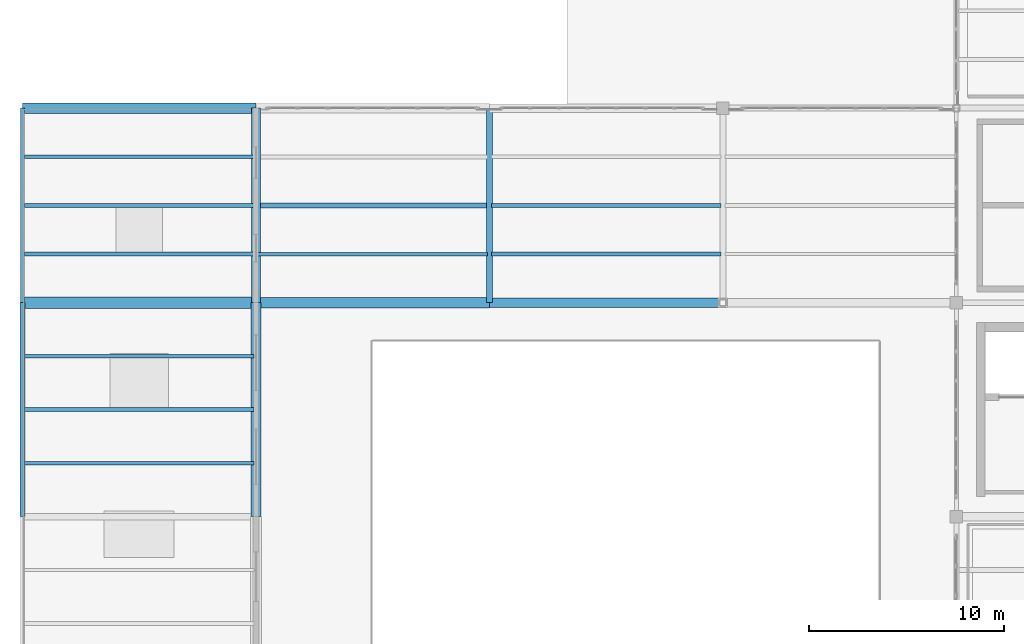
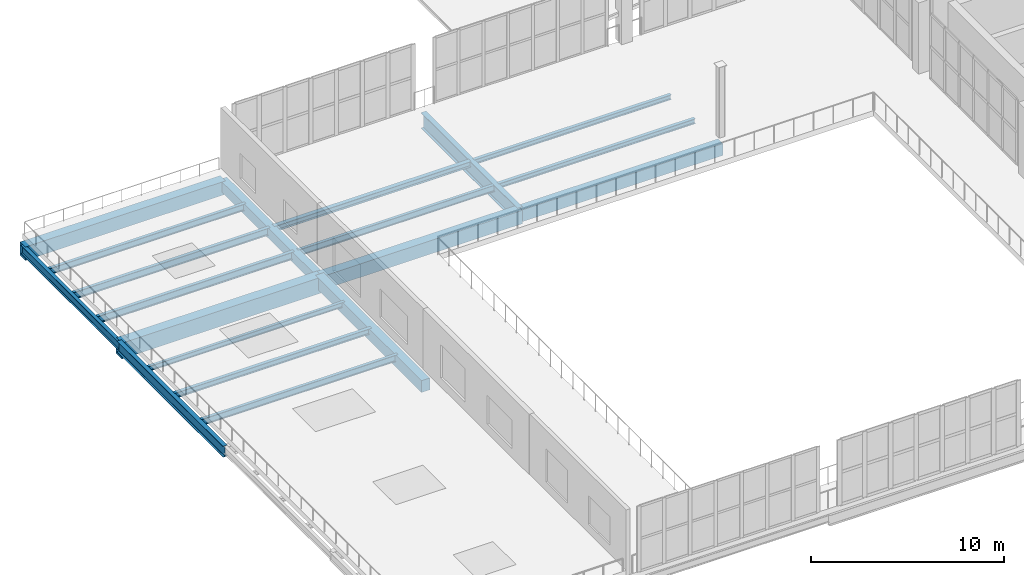
# One storey, part 9 of 90: 19 beams.
"""IFC4 building model written with IfcOpenShell, lengths in metres."""

from ifc_helpers import new_model, si_unit, direction, frame, origin, origin_2d, place, context, subcontext, project, spatial, rectangle, i_section, extrude, material, material_profile, profile_set, type_object, element, save


model = new_model("IFC4")

# Units and contexts
model_context = context("Model", 3, precision=1e-05, world=origin(), true_north=direction((0.0, 1.0)))
body_context = subcontext(model_context, "Body", "Model", "MODEL_VIEW")
ifc_project = project(units=[si_unit("LENGTHUNIT", "METRE"), si_unit("AREAUNIT", "SQUARE_METRE"), si_unit("VOLUMEUNIT", "CUBIC_METRE"), si_unit("PLANEANGLEUNIT", "RADIAN"), si_unit("MASSUNIT", "GRAM", prefix="KILO")], contexts=[model_context])

# Site, building, storey
site_placement = place(None, origin())
site = spatial("IfcSite", under=ifc_project, at=site_placement, CompositionType="ELEMENT")
building_placement = place(site_placement, origin())
building = spatial("IfcBuilding", under=site, at=building_placement, Name="Brinegate Civic Arena", CompositionType="ELEMENT")
storey_placement = place(building_placement, frame((0.0, 0.0, 14.699951171875)))
storey = spatial("IfcBuildingStorey", under=building, at=storey_placement, Name="L03", CompositionType="ELEMENT", Elevation=14.699951171875)

# Beams
ifc_material_1 = material(Name="Steel S355", Category="steel")
ifc_material_profile_1 = material_profile(ifc_material_1, i_section(OverallWidth=0.300048828125, OverallDepth=1.0, WebThickness=0.01904296875, FlangeThickness=0.031982421875, FilletRadius=0.02392578125, at=origin_2d()), Name="W1000X321")
ifc_profile_set_1 = profile_set([ifc_material_profile_1], Name="Steel S355")
beam_type_1 = type_object("IfcBeamType", Name="GIRDER-W1000X321", PredefinedType="BEAM", material=ifc_profile_set_1)
beam_1_placement = place(storey_placement, frame((24.0, 42.0, -0.849853515625), z_axis=(0.0, 1.0, 0.0), x_axis=(-1.0, 0.0, 0.0)))
element("IfcBeam", 1, at=beam_1_placement, inside=storey, type_object=beam_type_1, Name="Floor Girder BM-L03-GY-02-04", PredefinedType="BEAM", context=body_context, shape_type="SweptSolid", body=[
    extrude(i_section(OverallWidth=0.300048828125, OverallDepth=1.0, WebThickness=0.01904296875, FlangeThickness=0.031982421875, FilletRadius=0.02392578125, at=origin_2d()), origin(), (0.0, 0.0, 1.0), 10.0),
])
ifc_material_profile_2 = material_profile(ifc_material_1, i_section(OverallWidth=0.1669921875, OverallDepth=0.31689453125, WebThickness=0.008056640625, FlangeThickness=0.012939453125, FilletRadius=0.012939453125, at=origin_2d()), Name="W310X52")
ifc_profile_set_2 = profile_set([ifc_material_profile_2], Name="Steel S355")
beam_type_2 = type_object("IfcBeamType", Name="JOIST-W310X52", PredefinedType="JOIST", material=ifc_profile_set_2)
beam_2_placement = place(storey_placement, frame((0.10595703125, 39.25, -0.508056640625), z_axis=(1.0, 0.0, 0.0), x_axis=(0.0, 1.0, 0.0)))
element("IfcBeam", 2, at=beam_2_placement, inside=storey, type_object=beam_type_2, Name="Secondary Joist BM-L03-JX-00-03-3", PredefinedType="JOIST", context=body_context, shape_type="SweptSolid", body=[
    extrude(i_section(OverallWidth=0.1669921875, OverallDepth=0.31689453125, WebThickness=0.008056640625, FlangeThickness=0.012939453125, FilletRadius=0.012939453125, at=origin_2d()), origin(), (0.0, 0.0, 1.0), 11.7880859375),
])
ifc_material_profile_3 = material_profile(ifc_material_1, i_section(OverallWidth=0.202880859375, OverallDepth=0.302978515625, WebThickness=0.008056640625, FlangeThickness=0.012939453125, FilletRadius=0.012939453125, at=origin_2d()), Name="W310X60")
ifc_profile_set_3 = profile_set([ifc_material_profile_3], Name="Steel S355")
beam_type_3 = type_object("IfcBeamType", Name="JOIST-W310X60", PredefinedType="JOIST", material=ifc_profile_set_3)
beam_3_placement = place(storey_placement, frame((24.10595703125, 47.0, -0.5009765625), z_axis=(1.0, 0.0, 0.0), x_axis=(0.0, 1.0, 0.0)))
element("IfcBeam", 3, at=beam_3_placement, inside=storey, type_object=beam_type_3, Name="Secondary Joist BM-L03-JX-02-04-2", PredefinedType="JOIST", context=body_context, shape_type="SweptSolid", body=[
    extrude(i_section(OverallWidth=0.202880859375, OverallDepth=0.302978515625, WebThickness=0.008056640625, FlangeThickness=0.012939453125, FilletRadius=0.012939453125, at=origin_2d()), origin(), (0.0, 0.0, 1.0), 11.7880859375),
])
ifc_material_profile_4 = material_profile(ifc_material_1, i_section(OverallWidth=0.205078125, OverallDepth=0.31005859375, WebThickness=0.009033203125, FlangeThickness=0.01611328125, FilletRadius=0.012939453125, at=origin_2d()), Name="W310X74")
ifc_profile_set_4 = profile_set([ifc_material_profile_4], Name="Steel S355")
beam_type_4 = type_object("IfcBeamType", Name="JOIST-W310X74", PredefinedType="JOIST", material=ifc_profile_set_4)
beam_4_placement = place(storey_placement, frame((24.10595703125, 44.5, -0.5048828125), z_axis=(1.0, 0.0, 0.0), x_axis=(0.0, 1.0, 0.0)))
element("IfcBeam", 4, at=beam_4_placement, inside=storey, type_object=beam_type_4, Name="Secondary Joist BM-L03-JX-02-04-1", PredefinedType="JOIST", context=body_context, shape_type="SweptSolid", body=[
    extrude(i_section(OverallWidth=0.205078125, OverallDepth=0.31005859375, WebThickness=0.009033203125, FlangeThickness=0.01611328125, FilletRadius=0.012939453125, at=origin_2d()), origin(), (0.0, 0.0, 1.0), 11.7880859375),
])
ifc_material_profile_5 = material_profile(ifc_material_1, i_section(OverallWidth=0.202880859375, OverallDepth=0.346923828125, WebThickness=0.008056640625, FlangeThickness=0.013916015625, FilletRadius=0.013916015625, at=origin_2d()), Name="W360X64")
ifc_profile_set_5 = profile_set([ifc_material_profile_5], Name="Steel S355")
beam_type_5 = type_object("IfcBeamType", Name="JOIST-W360X64", PredefinedType="JOIST", material=ifc_profile_set_5)
beam_5_placement = place(storey_placement, frame((0.10595703125, 36.5, -0.52294921875), z_axis=(1.0, 0.0, 0.0), x_axis=(0.0, 1.0, 0.0)))
element("IfcBeam", 5, at=beam_5_placement, inside=storey, type_object=beam_type_5, Name="Secondary Joist BM-L03-JX-00-03-2", PredefinedType="JOIST", context=body_context, shape_type="SweptSolid", body=[
    extrude(i_section(OverallWidth=0.202880859375, OverallDepth=0.346923828125, WebThickness=0.008056640625, FlangeThickness=0.013916015625, FilletRadius=0.013916015625, at=origin_2d()), origin(), (0.0, 0.0, 1.0), 11.7880859375),
])
ifc_material_profile_6 = material_profile(ifc_material_1, i_section(OverallWidth=0.25390625, OverallDepth=0.35302734375, WebThickness=0.010009765625, FlangeThickness=0.01611328125, FilletRadius=0.013916015625, at=origin_2d()), Name="W360X91")
ifc_profile_set_6 = profile_set([ifc_material_profile_6], Name="Steel S355")
beam_type_6 = type_object("IfcBeamType", Name="JOIST-W360X91", PredefinedType="JOIST", material=ifc_profile_set_6)
beam_6_placement = place(storey_placement, frame((12.10595703125, 47.0, -0.52587890625), z_axis=(1.0, 0.0, 0.0), x_axis=(0.0, 1.0, 0.0)))
element("IfcBeam", 6, at=beam_6_placement, inside=storey, type_object=beam_type_6, Name="Secondary Joist BM-L03-JX-01-04-2", PredefinedType="JOIST", context=body_context, shape_type="SweptSolid", body=[
    extrude(i_section(OverallWidth=0.25390625, OverallDepth=0.35302734375, WebThickness=0.010009765625, FlangeThickness=0.01611328125, FilletRadius=0.013916015625, at=origin_2d()), origin(), (0.0, 0.0, 1.0), 11.7880859375),
])
ifc_material_profile_7 = material_profile(ifc_material_1, i_section(OverallWidth=0.178955078125, OverallDepth=0.409912109375, WebThickness=0.009033203125, FlangeThickness=0.013916015625, FilletRadius=0.013916015625, at=origin_2d()), Name="W410X67")
ifc_profile_set_7 = profile_set([ifc_material_profile_7], Name="Steel S355")
beam_type_7 = type_object("IfcBeamType", Name="JOIST-W410X67", PredefinedType="JOIST", material=ifc_profile_set_7)
beam_7_placement = place(storey_placement, frame((12.10595703125, 44.5, -0.554931640625), z_axis=(1.0, 0.0, 0.0), x_axis=(0.0, 1.0, 0.0)))
element("IfcBeam", 7, at=beam_7_placement, inside=storey, type_object=beam_type_7, Name="Secondary Joist BM-L03-JX-01-04-1", PredefinedType="JOIST", context=body_context, shape_type="SweptSolid", body=[
    extrude(i_section(OverallWidth=0.178955078125, OverallDepth=0.409912109375, WebThickness=0.009033203125, FlangeThickness=0.013916015625, FilletRadius=0.013916015625, at=origin_2d()), origin(), (0.0, 0.0, 1.0), 11.7880859375),
])
ifc_material_profile_8 = material_profile(ifc_material_1, i_section(OverallWidth=0.179931640625, OverallDepth=0.4130859375, WebThickness=0.010009765625, FlangeThickness=0.01611328125, FilletRadius=0.013916015625, at=origin_2d()), Name="W410X75")
ifc_profile_set_8 = profile_set([ifc_material_profile_8], Name="Steel S355")
beam_type_8 = type_object("IfcBeamType", Name="JOIST-W410X75", PredefinedType="JOIST", material=ifc_profile_set_8)
beam_8_placement = place(storey_placement, frame((0.10595703125, 33.75, -0.555908203125), z_axis=(1.0, 0.0, 0.0), x_axis=(0.0, 1.0, 0.0)))
element("IfcBeam", 8, at=beam_8_placement, inside=storey, type_object=beam_type_8, Name="Secondary Joist BM-L03-JX-00-03-1", PredefinedType="JOIST", context=body_context, shape_type="SweptSolid", body=[
    extrude(i_section(OverallWidth=0.179931640625, OverallDepth=0.4130859375, WebThickness=0.010009765625, FlangeThickness=0.01611328125, FilletRadius=0.013916015625, at=origin_2d()), origin(), (0.0, 0.0, 1.0), 11.7880859375),
])
ifc_material_profile_9 = material_profile(ifc_material_1, i_section(OverallWidth=0.180908203125, OverallDepth=0.4169921875, WebThickness=0.010986328125, FlangeThickness=0.01806640625, FilletRadius=0.013916015625, at=origin_2d()), Name="W410X85")
ifc_profile_set_9 = profile_set([ifc_material_profile_9], Name="Steel S355")
beam_type_9 = type_object("IfcBeamType", Name="JOIST-W410X85", PredefinedType="JOIST", material=ifc_profile_set_9)
beam_9_placement = place(storey_placement, frame((0.10595703125, 49.5, -0.557861328125), z_axis=(1.0, 0.0, 0.0), x_axis=(0.0, 1.0, 0.0)))
element("IfcBeam", 9, at=beam_9_placement, inside=storey, type_object=beam_type_9, Name="Secondary Joist BM-L03-JX-00-04-3", PredefinedType="JOIST", context=body_context, shape_type="SweptSolid", body=[
    extrude(i_section(OverallWidth=0.180908203125, OverallDepth=0.4169921875, WebThickness=0.010986328125, FlangeThickness=0.01806640625, FilletRadius=0.013916015625, at=origin_2d()), origin(), (0.0, 0.0, 1.0), 11.7880859375),
])
ifc_material_profile_10 = material_profile(ifc_material_1, i_section(OverallWidth=0.195068359375, OverallDepth=0.472900390625, WebThickness=0.011962890625, FlangeThickness=0.02197265625, FilletRadius=0.014892578125, at=origin_2d()), Name="W460X113")
ifc_profile_set_10 = profile_set([ifc_material_profile_10], Name="Steel S355")
beam_type_10 = type_object("IfcBeamType", Name="JOIST-W460X113", PredefinedType="JOIST", material=ifc_profile_set_10)
beam_10_placement = place(storey_placement, frame((0.10595703125, 44.5, -0.5859375), z_axis=(1.0, 0.0, 0.0), x_axis=(0.0, 1.0, 0.0)))
element("IfcBeam", 10, at=beam_10_placement, inside=storey, type_object=beam_type_10, Name="Secondary Joist BM-L03-JX-00-04-1", PredefinedType="JOIST", context=body_context, shape_type="SweptSolid", body=[
    extrude(i_section(OverallWidth=0.195068359375, OverallDepth=0.472900390625, WebThickness=0.011962890625, FlangeThickness=0.02197265625, FilletRadius=0.014892578125, at=origin_2d()), origin(), (0.0, 0.0, 1.0), 11.7880859375),
])
ifc_material_profile_11 = material_profile(ifc_material_1, i_section(OverallWidth=0.19091796875, OverallDepth=0.4599609375, WebThickness=0.010009765625, FlangeThickness=0.01611328125, FilletRadius=0.014892578125, at=origin_2d()), Name="W460X82")
ifc_profile_set_11 = profile_set([ifc_material_profile_11], Name="Steel S355")
beam_type_11 = type_object("IfcBeamType", Name="JOIST-W460X82", PredefinedType="JOIST", material=ifc_profile_set_11)
beam_11_placement = place(storey_placement, frame((0.10595703125, 47.0, -0.579833984375), z_axis=(1.0, 0.0, 0.0), x_axis=(0.0, 1.0, 0.0)))
element("IfcBeam", 11, at=beam_11_placement, inside=storey, type_object=beam_type_11, Name="Secondary Joist BM-L03-JX-00-04-2", PredefinedType="JOIST", context=body_context, shape_type="SweptSolid", body=[
    extrude(i_section(OverallWidth=0.19091796875, OverallDepth=0.4599609375, WebThickness=0.010009765625, FlangeThickness=0.01611328125, FilletRadius=0.014892578125, at=origin_2d()), origin(), (0.0, 0.0, 1.0), 11.7880859375),
])
ifc_material_2 = material(Name="Concrete C50/60", Category="concrete")
ifc_material_profile_12 = material_profile(ifc_material_2, rectangle(XDim=0.449951171875, YDim=0.64990234375, at=origin_2d()), Name="RCB450X650")
ifc_profile_set_12 = profile_set([ifc_material_profile_12], Name="Concrete C50/60")
beam_type_12 = type_object("IfcBeamType", Name="RCG-450X650", PredefinedType="BEAM", material=ifc_profile_set_12)
beam_12_placement = place(storey_placement, frame((12.0, 42.0, -0.675048828125), z_axis=(0.0, 1.0, 0.0), x_axis=(-1.0, 0.0, 0.0)))
element("IfcBeam", 12, at=beam_12_placement, inside=storey, type_object=beam_type_12, Name="Floor Girder BM-L03-GY-01-04", PredefinedType="BEAM", context=body_context, shape_type="SweptSolid", body=[
    extrude(rectangle(XDim=0.449951171875, YDim=0.64990234375, at=origin_2d()), origin(), (0.0, 0.0, 1.0), 10.0),
])
ifc_material_profile_13 = material_profile(ifc_material_2, rectangle(XDim=0.5, YDim=0.75, at=origin_2d()), Name="RCB500X750")
ifc_profile_set_13 = profile_set([ifc_material_profile_13], Name="Concrete C50/60")
beam_type_13 = type_object("IfcBeamType", Name="RCG-500X750", PredefinedType="BEAM", material=ifc_profile_set_13)
beam_13_placement = place(storey_placement, frame((24.0, 42.0, -0.724853515625), z_axis=(1.0, 0.0, 0.0), x_axis=(0.0, 1.0, 0.0)))
element("IfcBeam", 13, at=beam_13_placement, inside=storey, type_object=beam_type_13, Name="Floor Girder BM-L03-GX-02-04", PredefinedType="BEAM", context=body_context, shape_type="SweptSolid", body=[
    extrude(rectangle(XDim=0.5, YDim=0.75, at=origin_2d()), origin(), (0.0, 0.0, 1.0), 12.0),
])
beam_14_placement = place(storey_placement, frame((12.0, 31.0, -0.724853515625), z_axis=(0.0, 1.0, 0.0), x_axis=(-1.0, 0.0, 0.0)))
element("IfcBeam", 14, at=beam_14_placement, inside=storey, type_object=beam_type_13, Name="Floor Girder BM-L03-GY-01-03", PredefinedType="BEAM", context=body_context, shape_type="SweptSolid", body=[
    extrude(rectangle(XDim=0.5, YDim=0.75, at=origin_2d()), origin(), (0.0, 0.0, 1.0), 11.0),
])
ifc_material_profile_14 = material_profile(ifc_material_2, rectangle(XDim=0.550048828125, YDim=0.85009765625, at=origin_2d()), Name="RCB550X850")
ifc_profile_set_14 = profile_set([ifc_material_profile_14], Name="Concrete C50/60")
beam_type_14 = type_object("IfcBeamType", Name="RCG-550X850", PredefinedType="BEAM", material=ifc_profile_set_14)
for number, where, z_axis, x_axis, name in (
    (15, (12.0, 42.0, -0.77490234375), (1.0, 0.0, 0.0), (0.0, 1.0, 0.0), "Floor Girder BM-L03-GX-01-04"),
    (16, (0.0, 52.0, -0.77490234375), (1.0, 0.0, 0.0), (0.0, 1.0, 0.0), "Floor Girder BM-L03-GX-00-05"),
):
    element("IfcBeam", number, at=place(storey_placement, frame(where, z_axis=z_axis, x_axis=x_axis)), inside=storey, type_object=beam_type_14, Name=name, PredefinedType="BEAM", context=body_context, shape_type="SweptSolid", body=[
        extrude(rectangle(XDim=0.550048828125, YDim=0.85009765625, at=origin_2d()), origin(), (0.0, 0.0, 1.0), 12.0),
    ])
ifc_material_profile_15 = material_profile(ifc_material_2, rectangle(XDim=0.60009765625, YDim=1.0, at=origin_2d()), Name="RCB600X1000")
ifc_profile_set_15 = profile_set([ifc_material_profile_15], Name="Concrete C50/60")
beam_type_15 = type_object("IfcBeamType", Name="RCG-600X1000", PredefinedType="BEAM", material=ifc_profile_set_15)
beam_15_placement = place(storey_placement, frame((0.0, 42.0, -0.849853515625), z_axis=(1.0, 0.0, 0.0), x_axis=(0.0, 1.0, 0.0)))
element("IfcBeam", 17, at=beam_15_placement, inside=storey, type_object=beam_type_15, Name="Floor Girder BM-L03-GX-00-04", PredefinedType="BEAM", context=body_context, shape_type="SweptSolid", body=[
    extrude(rectangle(XDim=0.60009765625, YDim=1.0, at=origin_2d()), origin(), (0.0, 0.0, 1.0), 12.0),
])
ifc_material_profile_16 = material_profile(ifc_material_1, i_section(OverallWidth=0.2119140625, OverallDepth=0.5439453125, WebThickness=0.012939453125, FlangeThickness=0.02099609375, FilletRadius=0.01611328125, at=origin_2d()), Name="W530X123")
ifc_profile_set_16 = profile_set([ifc_material_profile_16], Name="Steel S355")
beam_type_16 = type_object("IfcBeamType", Name="SPANDREL-W530X123", PredefinedType="SPANDREL", material=ifc_profile_set_16)
beam_16_placement = place(storey_placement, frame((0.0, 42.0, -0.6220703125), z_axis=(0.0, 1.0, 0.0), x_axis=(-1.0, 0.0, 0.0)))
element("IfcBeam", 18, at=beam_16_placement, inside=storey, type_object=beam_type_16, Name="Floor Girder BM-L03-GY-00-04", PredefinedType="SPANDREL", context=body_context, shape_type="SweptSolid", body=[
    extrude(i_section(OverallWidth=0.2119140625, OverallDepth=0.5439453125, WebThickness=0.012939453125, FlangeThickness=0.02099609375, FilletRadius=0.01611328125, at=origin_2d()), origin(), (0.0, 0.0, 1.0), 10.0),
])
ifc_material_profile_17 = material_profile(ifc_material_1, i_section(OverallWidth=0.256103515625, OverallDepth=0.693115234375, WebThickness=0.014892578125, FlangeThickness=0.02392578125, FilletRadius=0.01806640625, at=origin_2d()), Name="W690X170")
ifc_profile_set_17 = profile_set([ifc_material_profile_17], Name="Steel S355")
beam_type_17 = type_object("IfcBeamType", Name="SPANDREL-W690X170", PredefinedType="SPANDREL", material=ifc_profile_set_17)
beam_17_placement = place(storey_placement, frame((0.0, 31.0, -0.696044921875), z_axis=(0.0, 1.0, 0.0), x_axis=(-1.0, 0.0, 0.0)))
element("IfcBeam", 19, at=beam_17_placement, inside=storey, type_object=beam_type_17, Name="Floor Girder BM-L03-GY-00-03", PredefinedType="SPANDREL", context=body_context, shape_type="SweptSolid", body=[
    extrude(i_section(OverallWidth=0.256103515625, OverallDepth=0.693115234375, WebThickness=0.014892578125, FlangeThickness=0.02392578125, FilletRadius=0.01806640625, at=origin_2d()), origin(), (0.0, 0.0, 1.0), 11.0),
])

save(model, "model.ifc")
